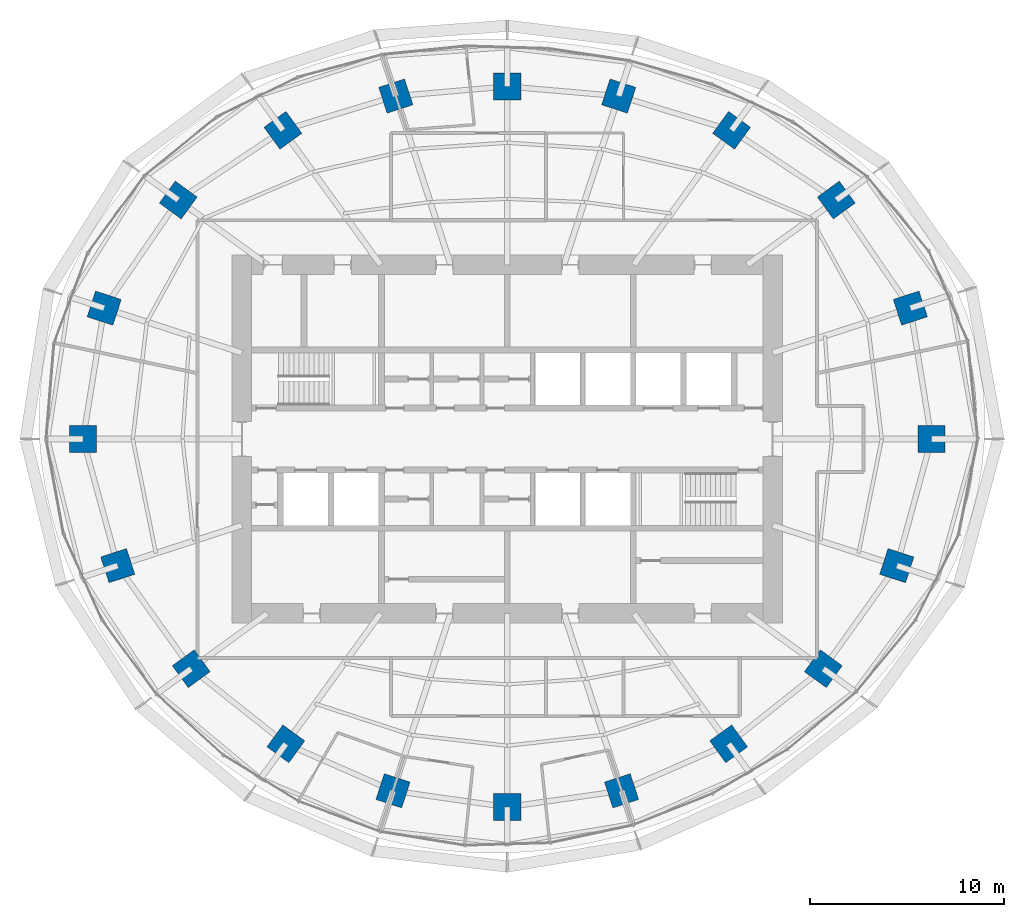
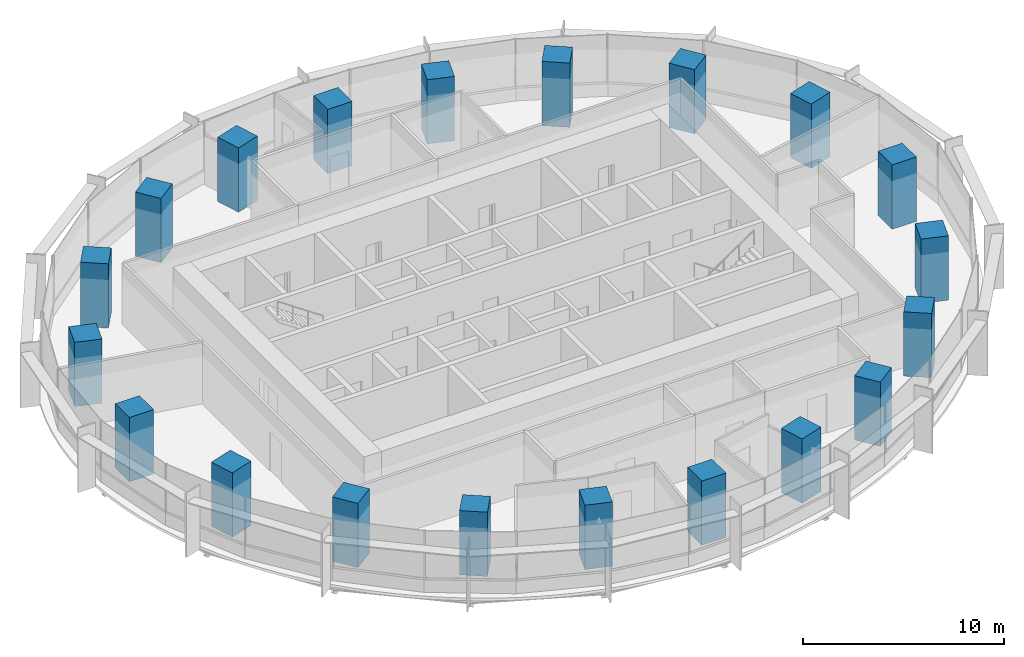
# One storey, part 1 of 15: 20 columns.
"""IFC4 building model written with IfcOpenShell, lengths in metres."""

from ifc_helpers import new_model, si_unit, direction, frame, origin, origin_2d, place, context, subcontext, project, spatial, rectangle, extrude, material, material_profile, profile_set, type_object, element, save


model = new_model("IFC4")

# Units and contexts
model_context = context("Model", 3, precision=1e-05, world=origin(), true_north=direction((0.0, 1.0)))
body_context = subcontext(model_context, "Body", "Model", "MODEL_VIEW")
ifc_project = project(units=[si_unit("LENGTHUNIT", "METRE"), si_unit("AREAUNIT", "SQUARE_METRE"), si_unit("VOLUMEUNIT", "CUBIC_METRE"), si_unit("PLANEANGLEUNIT", "RADIAN"), si_unit("MASSUNIT", "GRAM", prefix="KILO")], contexts=[model_context])

# Site, building, storey
site_placement = place(None, origin())
site = spatial("IfcSite", under=ifc_project, at=site_placement, CompositionType="ELEMENT")
building_placement = place(site_placement, origin())
building = spatial("IfcBuilding", under=site, at=building_placement, Name="Marramba Exchange Tower", CompositionType="ELEMENT")
storey_placement = place(building_placement, frame((0.0, 0.0, 230.60009765625)))
storey = spatial("IfcBuildingStorey", under=building, at=storey_placement, Name="L56", CompositionType="ELEMENT", Elevation=230.60009765625)

# Columns
ifc_material = material(Name="Concrete N50", Category="concrete")
ifc_material_profile = material_profile(ifc_material, rectangle(XDim=1.39990234375, YDim=1.39990234375, at=origin_2d()), Name="RC 1400x1400")
ifc_profile_set = profile_set([ifc_material_profile], Name="Concrete N50")
column_type = type_object("IfcColumnType", Name="Perimeter column RC 1400x1400 N50", PredefinedType="COLUMN", material=ifc_profile_set)
for number, where, z_axis, x_axis, name in (
    (1, (21.89990234375, 0.0, 0.0), (0.0, 0.0, 1.0), (1.0, 0.0, 0.0), "Column TC01 L56"),
    (2, (20.808349609375, 6.760986328125, 0.0), (0.0, 0.0, 1.0), (0.951056516295, 0.309016994375, 0.0), "Column TC02 L56"),
    (3, (16.98583984375, 12.3408203125, 0.0), (0.0, 0.0, 1.0), (0.809016994375, 0.587785252292, 0.0), "Column TC03 L56"),
    (4, (11.581298828125, 15.9404296875, 0.0), (0.0, 0.0, 1.0), (0.587785252292, 0.809016994375, 0.0), "Column TC04 L56"),
    (5, (5.75390625, 17.70849609375, 0.0), (0.0, 0.0, 1.0), (0.309016994375, 0.951056516295, 0.0), "Column TC05 L56"),
    (6, (0.0, 18.2041015625, 0.0), (0.0, 0.0, 1.0), (0.0, 1.0, 0.0), "Column TC06 L56"),
    (7, (-5.75390625, 17.70849609375, 0.0), (0.0, 0.0, 1.0), (-0.309016994375, 0.951056516295, 0.0), "Column TC07 L56"),
    (8, (-11.581298828125, 15.9404296875, 0.0), (0.0, 0.0, 1.0), (-0.587785252292, 0.809016994375, 0.0), "Column TC08 L56"),
    (9, (-16.98583984375, 12.3408203125, 0.0), (0.0, 0.0, 1.0), (-0.809016994375, 0.587785252292, 0.0), "Column TC09 L56"),
    (10, (-20.808349609375, 6.760986328125, 0.0), (0.0, 0.0, 1.0), (-0.951056516295, 0.309016994375, 0.0), "Column TC10 L56"),
    (11, (-21.89990234375, 0.0, 0.0), (0.0, 0.0, 1.0), (-1.0, 0.0, 0.0), "Column TC11 L56"),
    (12, (-20.109375, -6.533935546875, 0.0), (0.0, 0.0, 1.0), (-0.951056516295, -0.309016994375, 0.0), "Column TC12 L56"),
    (13, (-16.3154296875, -11.853759765625, 0.0), (0.0, 0.0, 1.0), (-0.809016994375, -0.587785252292, 0.0), "Column TC13 L56"),
    (14, (-11.430419921875, -15.732666015625, 0.0), (0.0, 0.0, 1.0), (-0.587785252292, -0.809016994375, 0.0), "Column TC14 L56"),
    (15, (-5.899658203125, -18.156982421875, 0.0), (0.0, 0.0, 1.0), (-0.309016994375, -0.951056516295, 0.0), "Column TC15 L56"),
    (16, (0.0, -18.99609375, 0.0), (0.0, 0.0, 1.0), (0.0, -1.0, 0.0), "Column TC16 L56"),
    (17, (5.899658203125, -18.156982421875, 0.0), (0.0, 0.0, 1.0), (0.309016994375, -0.951056516295, 0.0), "Column TC17 L56"),
    (18, (11.430419921875, -15.732666015625, 0.0), (0.0, 0.0, 1.0), (0.587785252292, -0.809016994375, 0.0), "Column TC18 L56"),
    (19, (16.3154296875, -11.853759765625, 0.0), (0.0, 0.0, 1.0), (0.809016994375, -0.587785252292, 0.0), "Column TC19 L56"),
    (20, (20.109375, -6.533935546875, 0.0), (0.0, 0.0, 1.0), (0.951056516295, -0.309016994375, 0.0), "Column TC20 L56"),
):
    element("IfcColumn", number, at=place(storey_placement, frame(where, z_axis=z_axis, x_axis=x_axis)), inside=storey, type_object=column_type, Name=name, PredefinedType="COLUMN", context=body_context, shape_type="SweptSolid", body=[
        extrude(rectangle(XDim=1.39990234375, YDim=1.39990234375, at=origin_2d()), origin(), (0.0, 0.0, 1.0), 3.89990234375),
    ])

save(model, "model.ifc")
